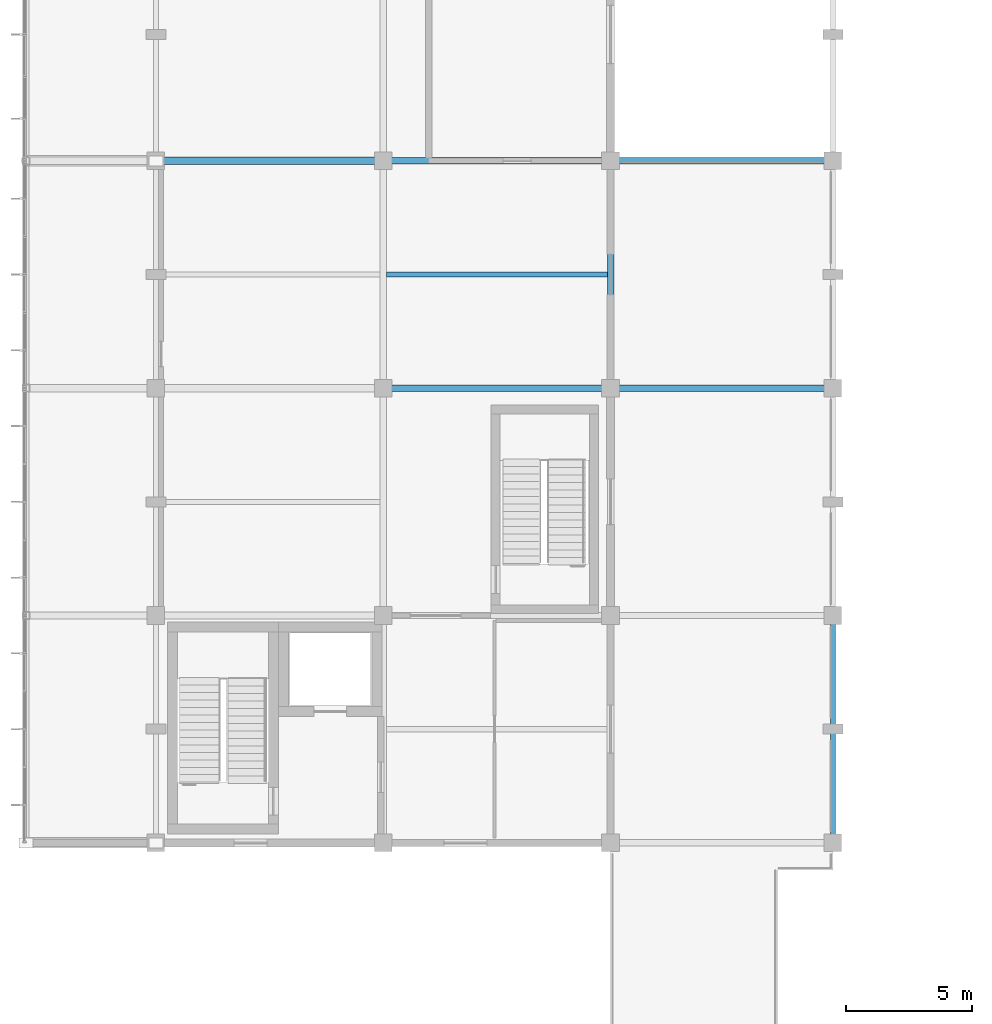
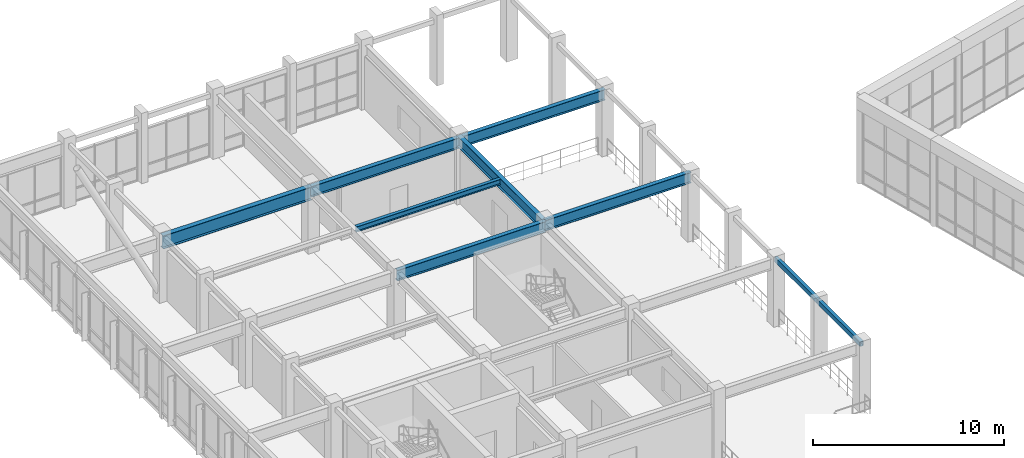
# One storey, part 22 of 55: 9 beams.
"""IFC4 building model written with IfcOpenShell, lengths in metres."""

from ifc_helpers import new_model, si_unit, direction, frame, origin, origin_2d, place, context, subcontext, project, spatial, hollow_rectangle, i_section, extrude, material, material_profile, profile_set, type_object, element, save


model = new_model("IFC4")

# Units and contexts
model_context = context("Model", 3, precision=1e-05, world=origin(), true_north=direction((0.0, 1.0)))
body_context = subcontext(model_context, "Body", "Model", "MODEL_VIEW")
ifc_project = project(units=[si_unit("LENGTHUNIT", "METRE"), si_unit("AREAUNIT", "SQUARE_METRE"), si_unit("VOLUMEUNIT", "CUBIC_METRE"), si_unit("PLANEANGLEUNIT", "RADIAN"), si_unit("MASSUNIT", "GRAM", prefix="KILO")], contexts=[model_context])

# Site, building, storey
site_placement = place(None, origin())
site = spatial("IfcSite", under=ifc_project, at=site_placement, CompositionType="ELEMENT")
building_placement = place(site_placement, origin())
building = spatial("IfcBuilding", under=site, at=building_placement, Name="Ventoquebrada Cableway Terminal", CompositionType="ELEMENT")
storey_placement = place(building_placement, frame((0.0, 0.0, 14.39990234375)))
storey = spatial("IfcBuildingStorey", under=building, at=storey_placement, Name="L03", CompositionType="ELEMENT", Elevation=14.39990234375)

# Beams
ifc_material_1 = material(Name="Steel ASTM A992 Grade 50", Category="steel")
ifc_material_profile_1 = material_profile(ifc_material_1, i_section(OverallWidth=0.25390625, OverallDepth=0.68798828125, WebThickness=0.01318359375, FlangeThickness=0.02099609375, at=origin_2d()), Name="W27X102")
ifc_profile_set_1 = profile_set([ifc_material_profile_1], Name="Steel ASTM A992 Grade 50")
beam_type_1 = type_object("IfcBeamType", Name="BM-ST04", PredefinedType="BEAM", material=ifc_profile_set_1)
beam_1_placement = place(storey_placement, frame((17.199951171875, 95.0, 3.821044921875), z_axis=(1.0, 0.0, 0.0), x_axis=(0.0, 1.0, 0.0)))
element("IfcBeam", 1, at=beam_1_placement, inside=storey, type_object=beam_type_1, Name="Primary frame girder FBM-0496", PredefinedType="BEAM", context=body_context, shape_type="SweptSolid", body=[
    extrude(i_section(OverallWidth=0.25390625, OverallDepth=0.68798828125, WebThickness=0.01318359375, FlangeThickness=0.02099609375, at=origin_2d()), origin(), (0.0, 0.0, 1.0), 9.0),
])
beam_2_placement = place(storey_placement, frame((26.199951171875, 95.0, 3.885986328125), z_axis=(1.0, 0.0, 0.0), x_axis=(0.0, 1.0, 0.0)))
element("IfcBeam", 2, at=beam_2_placement, inside=storey, type_object=beam_type_1, Name="Primary frame girder FBM-0497", PredefinedType="BEAM", context=body_context, shape_type="SweptSolid", body=[
    extrude(i_section(OverallWidth=0.25390625, OverallDepth=0.68798828125, WebThickness=0.01318359375, FlangeThickness=0.02099609375, at=origin_2d()), origin(), (0.0, 0.0, 1.0), 8.800048828125),
])
beam_3_placement = place(storey_placement, frame((17.199951171875, 104.0, 3.736083984375), z_axis=(1.0, 0.0, 0.0), x_axis=(0.0, 1.0, 0.0)))
element("IfcBeam", 3, at=beam_3_placement, inside=storey, type_object=beam_type_1, Name="Primary frame girder FBM-0499", PredefinedType="BEAM", context=body_context, shape_type="SweptSolid", body=[
    extrude(i_section(OverallWidth=0.25390625, OverallDepth=0.68798828125, WebThickness=0.01318359375, FlangeThickness=0.02099609375, at=origin_2d()), origin(), (0.0, 0.0, 1.0), 9.0),
])
beam_4_placement = place(storey_placement, frame((26.199951171875, 104.0, 3.736083984375), z_axis=(1.0, 0.0, 0.0), x_axis=(0.0, 1.0, 0.0)))
element("IfcBeam", 4, at=beam_4_placement, inside=storey, type_object=beam_type_1, Name="Primary frame girder FBM-0500", PredefinedType="BEAM", context=body_context, shape_type="SweptSolid", body=[
    extrude(i_section(OverallWidth=0.25390625, OverallDepth=0.68798828125, WebThickness=0.01318359375, FlangeThickness=0.02099609375, at=origin_2d()), origin(), (0.0, 0.0, 1.0), 8.800048828125),
])
beam_5_placement = place(storey_placement, frame((26.199951171875, 95.0, 3.821044921875), z_axis=(0.0, 1.0, 0.0), x_axis=(-1.0, 0.0, 0.0)))
element("IfcBeam", 5, at=beam_5_placement, inside=storey, type_object=beam_type_1, Name="Primary frame girder FBM-0521", PredefinedType="BEAM", context=body_context, shape_type="SweptSolid", body=[
    extrude(i_section(OverallWidth=0.25390625, OverallDepth=0.68798828125, WebThickness=0.01318359375, FlangeThickness=0.02099609375, at=origin_2d()), origin(), (0.0, 0.0, 1.0), 9.0),
])
ifc_material_profile_2 = material_profile(ifc_material_1, i_section(OverallWidth=0.2919921875, OverallDepth=0.845947265625, WebThickness=0.015380859375, FlangeThickness=0.0244140625, at=origin_2d()), Name="W33X141")
ifc_profile_set_2 = profile_set([ifc_material_profile_2], Name="Steel ASTM A992 Grade 50")
beam_type_2 = type_object("IfcBeamType", Name="BM-ST06", PredefinedType="BEAM", material=ifc_profile_set_2)
beam_6_placement = place(storey_placement, frame((8.199951171875, 104.0, 3.656982421875), z_axis=(1.0, 0.0, 0.0), x_axis=(0.0, 1.0, 0.0)))
element("IfcBeam", 6, at=beam_6_placement, inside=storey, type_object=beam_type_2, Name="Primary frame girder FBM-0498", PredefinedType="BEAM", context=body_context, shape_type="SweptSolid", body=[
    extrude(i_section(OverallWidth=0.2919921875, OverallDepth=0.845947265625, WebThickness=0.015380859375, FlangeThickness=0.0244140625, at=origin_2d()), origin(), (0.0, 0.0, 1.0), 9.0),
])
ifc_material_profile_3 = material_profile(ifc_material_1, i_section(OverallWidth=0.2041015625, OverallDepth=0.35009765625, WebThickness=0.008544921875, FlangeThickness=0.01513671875, at=origin_2d()), Name="W14X48")
ifc_profile_set_3 = profile_set([ifc_material_profile_3], Name="Steel ASTM A992 Grade 50")
beam_type_3 = type_object("IfcBeamType", Name="JST-ST05", PredefinedType="JOIST", material=ifc_profile_set_3)
beam_7_placement = place(storey_placement, frame((17.326904296875, 99.5, 3.989990234375), z_axis=(1.0, 0.0, 0.0), x_axis=(0.0, 1.0, 0.0)))
element("IfcBeam", 7, at=beam_7_placement, inside=storey, type_object=beam_type_3, Name="Secondary floor joist JB-025", PredefinedType="JOIST", context=body_context, shape_type="SweptSolid", body=[
    extrude(i_section(OverallWidth=0.2041015625, OverallDepth=0.35009765625, WebThickness=0.008544921875, FlangeThickness=0.01513671875, at=origin_2d()), origin(), (0.0, 0.0, 1.0), 8.74609375),
])
ifc_material_2 = material(Name="Steel ASTM A500 Grade C", Category="steel")
ifc_material_profile_4 = material_profile(ifc_material_2, hollow_rectangle(XDim=0.199951171875, YDim=0.300048828125, WallThickness=0.012451171875, at=origin_2d()), Name="RHS300X200X12.5")
ifc_profile_set_4 = profile_set([ifc_material_profile_4], Name="Steel ASTM A500 Grade C")
beam_type_4 = type_object("IfcBeamType", Name="SP-ST02", PredefinedType="SPANDREL", material=ifc_profile_set_4)
for number, where, z_axis, x_axis, name in (
    (8, (35.0, 77.0, 4.080078125), (0.0, 1.0, 0.0), (-1.0, 0.0, 0.0), "Perimeter spandrel beam FBM-0523"),
    (9, (35.0, 81.5, 4.080078125), (0.0, 1.0, 0.0), (-1.0, 0.0, 0.0), "Perimeter spandrel beam FBM-0524"),
):
    element("IfcBeam", number, at=place(storey_placement, frame(where, z_axis=z_axis, x_axis=x_axis)), inside=storey, type_object=beam_type_4, Name=name, PredefinedType="SPANDREL", context=body_context, shape_type="SweptSolid", body=[
        extrude(hollow_rectangle(XDim=0.199951171875, YDim=0.300048828125, WallThickness=0.012451171875, at=origin_2d()), origin(), (0.0, 0.0, 1.0), 4.5),
    ])

save(model, "model.ifc")
